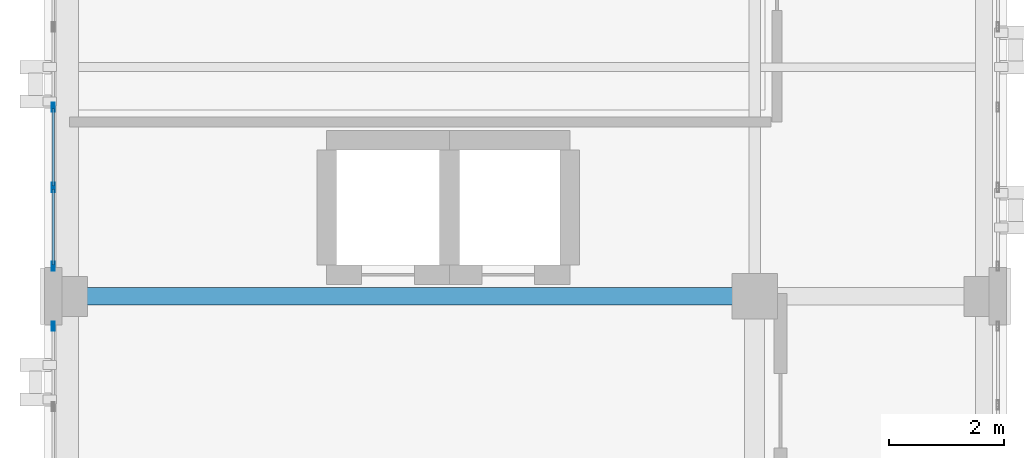
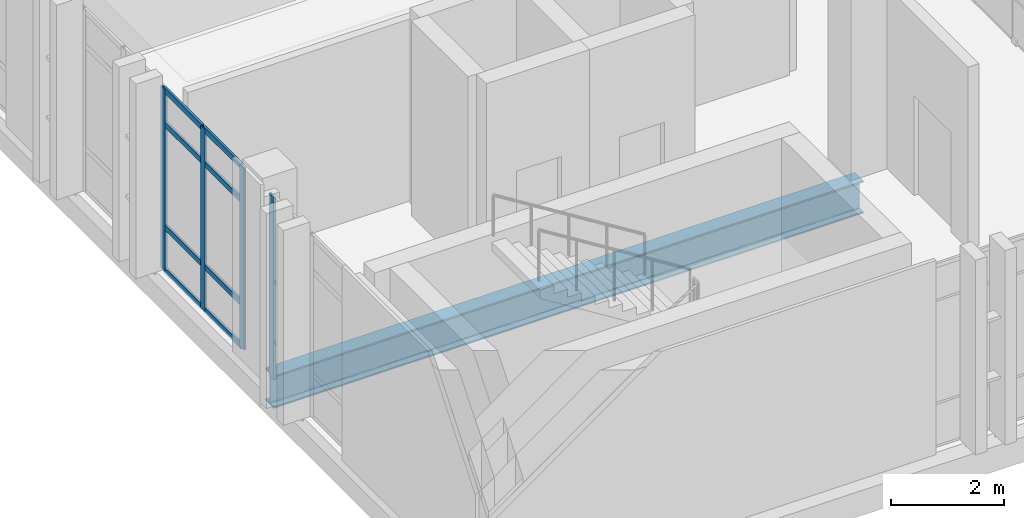
# One storey, part 25 of 193: 12 members, 1 beam, 2 elements without a shape of their own.
"""IFC4 building model written with IfcOpenShell, lengths in metres."""

from ifc_helpers import new_model, si_unit, direction, frame, origin, origin_2d, place, context, subcontext, project, spatial, hollow_rectangle, i_section, extrude, material, layer, layer_set, material_profile, profile_set, type_object, element, aggregate, save


model = new_model("IFC4")

# Units and contexts
model_context = context("Model", 3, precision=1e-05, world=origin(), true_north=direction((0.0, 1.0)))
body_context = subcontext(model_context, "Body", "Model", "MODEL_VIEW")
ifc_project = project(units=[si_unit("LENGTHUNIT", "METRE"), si_unit("AREAUNIT", "SQUARE_METRE"), si_unit("VOLUMEUNIT", "CUBIC_METRE"), si_unit("PLANEANGLEUNIT", "RADIAN"), si_unit("MASSUNIT", "GRAM", prefix="KILO")], contexts=[model_context])

# Site, building, storey
site_placement = place(None, origin())
site = spatial("IfcSite", under=ifc_project, at=site_placement, CompositionType="ELEMENT")
building_placement = place(site_placement, origin())
building = spatial("IfcBuilding", under=site, at=building_placement, Name="Qalavern Law Courts", CompositionType="ELEMENT")
storey_placement = place(building_placement, frame((0.0, 0.0, 10.199951171875)))
storey = spatial("IfcBuildingStorey", under=building, at=storey_placement, Name="L02", CompositionType="ELEMENT", Elevation=10.199951171875)

# Curtain wall, members
ifc_material_1 = material(Name="Anodised aluminium and insulated glazing", Category="aluminium")
ifc_layer = layer(ifc_material_1, 0.172119140625)
ifc_layer_set = layer_set([ifc_layer], Name="Anodised aluminium and insulated glazing")
curtain_wall_type = type_object("IfcCurtainWallType", Name="ENV-CW-COURT", PredefinedType="USERDEFINED", material=ifc_layer_set)
curtain_wall_1_placement = place(storey_placement, origin())
curtain_wall_1 = element("IfcCurtainWall", 1, at=curtain_wall_1_placement, inside=storey, type_object=curtain_wall_type, Name="V3 unitised curtain wall L02 west 6", ObjectType="UNITISED CURTAIN WALL", PredefinedType="USERDEFINED")
ifc_material_2 = material(Name="Anodised aluminium", Category="aluminium")
ifc_material_profile_1 = material_profile(ifc_material_2, hollow_rectangle(XDim=0.048095703125, YDim=0.159912109375, WallThickness=0.00390625, at=origin_2d()), Name="ALU MULLION 48x160")
ifc_profile_set_1 = profile_set([ifc_material_profile_1], Name="Anodised aluminium")
member_type_1 = type_object("IfcMemberType", Name="ENV-CWM-48x160", PredefinedType="MULLION", material=ifc_profile_set_1)
member_1_placement = place(storey_placement, frame((2.155029296875, 52.699951171875, 0.0), z_axis=(0.0, 0.0, 1.0), x_axis=(1.0, 0.0, 0.0)))
member_1 = element("IfcMember", 2, at=member_1_placement, type_object=member_type_1, Name="CW-03 mullion 4", PredefinedType="MULLION", context=body_context, shape_type="SweptSolid", body=[
    extrude(hollow_rectangle(XDim=0.048095703125, YDim=0.159912109375, WallThickness=0.00390625, at=origin_2d()), origin(), (0.0, 0.0, 1.0), 3.9150390625),
])
member_2_placement = place(storey_placement, frame((2.155029296875, 51.300048828125, 0.0), z_axis=(0.0, 0.0, 1.0), x_axis=(1.0, 0.0, 0.0)))
member_2 = element("IfcMember", 3, at=member_2_placement, type_object=member_type_1, Name="CW-03 mullion 5", PredefinedType="MULLION", context=body_context, shape_type="SweptSolid", body=[
    extrude(hollow_rectangle(XDim=0.048095703125, YDim=0.159912109375, WallThickness=0.00390625, at=origin_2d()), origin(), (0.0, 0.0, 1.0), 3.9150390625),
])
member_3_placement = place(storey_placement, frame((2.155029296875, 49.924072265625, 0.0), z_axis=(0.0, 0.0, 1.0), x_axis=(1.0, 0.0, 0.0)))
member_3 = element("IfcMember", 4, at=member_3_placement, type_object=member_type_1, Name="CW-03 mullion 6", PredefinedType="MULLION", context=body_context, shape_type="SweptSolid", body=[
    extrude(hollow_rectangle(XDim=0.048095703125, YDim=0.159912109375, WallThickness=0.00390625, at=origin_2d()), origin(), (0.0, 0.0, 1.0), 3.9150390625),
])

# Curtain wall, member
curtain_wall_2_placement = place(storey_placement, origin())
curtain_wall_2 = element("IfcCurtainWall", 5, at=curtain_wall_2_placement, inside=storey, type_object=curtain_wall_type, Name="V3 unitised curtain wall L02 west 7", ObjectType="UNITISED CURTAIN WALL", PredefinedType="USERDEFINED")
member_4_placement = place(storey_placement, frame((2.155029296875, 48.8759765625, 0.0), z_axis=(0.0, 0.0, 1.0), x_axis=(1.0, 0.0, 0.0)))
member_4 = element("IfcMember", 6, at=member_4_placement, type_object=member_type_1, Name="CW-03 mullion 1", PredefinedType="MULLION", context=body_context, shape_type="SweptSolid", body=[
    extrude(hollow_rectangle(XDim=0.048095703125, YDim=0.159912109375, WallThickness=0.00390625, at=origin_2d()), origin(), (0.0, 0.0, 1.0), 3.9150390625),
])
aggregate(curtain_wall_2, [member_4])

# Member
ifc_material_profile_2 = material_profile(ifc_material_2, hollow_rectangle(XDim=0.048095703125, YDim=0.1201171875, WallThickness=0.00390625, at=origin_2d()), Name="ALU TRANSOM 48x120")
ifc_profile_set_2 = profile_set([ifc_material_profile_2], Name="Anodised aluminium")
member_type_2 = type_object("IfcMemberType", Name="ENV-CWT-48x120", PredefinedType="USERDEFINED", material=ifc_profile_set_2)
member_5_placement = place(storey_placement, frame((2.155029296875, 52.676025390625, 0.024169921875), z_axis=(0.0, -1.0, 0.0), x_axis=(1.0, 0.0, 0.0)))
member_5 = element("IfcMember", 7, at=member_5_placement, type_object=member_type_2, Name="CW-03 transom 4.1", ObjectType="TRANSOM", PredefinedType="USERDEFINED", context=body_context, shape_type="SweptSolid", body=[
    extrude(hollow_rectangle(XDim=0.048095703125, YDim=0.1201171875, WallThickness=0.00390625, at=origin_2d()), origin(), (0.0, 0.0, 1.0), 1.35205078125),
])

member_6_placement = place(storey_placement, frame((2.155029296875, 52.676025390625, 0.949951171875), z_axis=(0.0, -1.0, 0.0), x_axis=(1.0, 0.0, 0.0)))
member_6 = element("IfcMember", 8, at=member_6_placement, type_object=member_type_2, Name="CW-03 transom 4.2", ObjectType="TRANSOM", PredefinedType="USERDEFINED", context=body_context, shape_type="SweptSolid", body=[
    extrude(hollow_rectangle(XDim=0.048095703125, YDim=0.1201171875, WallThickness=0.00390625, at=origin_2d()), origin(), (0.0, 0.0, 1.0), 1.35205078125),
])

member_7_placement = place(storey_placement, frame((2.155029296875, 52.676025390625, 3.1650390625), z_axis=(0.0, -1.0, 0.0), x_axis=(1.0, 0.0, 0.0)))
member_7 = element("IfcMember", 9, at=member_7_placement, type_object=member_type_2, Name="CW-03 transom 4.3", ObjectType="TRANSOM", PredefinedType="USERDEFINED", context=body_context, shape_type="SweptSolid", body=[
    extrude(hollow_rectangle(XDim=0.048095703125, YDim=0.1201171875, WallThickness=0.00390625, at=origin_2d()), origin(), (0.0, 0.0, 1.0), 1.35205078125),
])

member_8_placement = place(storey_placement, frame((2.155029296875, 52.676025390625, 3.89111328125), z_axis=(0.0, -1.0, 0.0), x_axis=(1.0, 0.0, 0.0)))
member_8 = element("IfcMember", 10, at=member_8_placement, type_object=member_type_2, Name="CW-03 transom 4.4", ObjectType="TRANSOM", PredefinedType="USERDEFINED", context=body_context, shape_type="SweptSolid", body=[
    extrude(hollow_rectangle(XDim=0.048095703125, YDim=0.1201171875, WallThickness=0.00390625, at=origin_2d()), origin(), (0.0, 0.0, 1.0), 1.35205078125),
])

member_9_placement = place(storey_placement, frame((2.155029296875, 51.27587890625, 0.024169921875), z_axis=(0.0, -1.0, 0.0), x_axis=(1.0, 0.0, 0.0)))
member_9 = element("IfcMember", 11, at=member_9_placement, type_object=member_type_2, Name="CW-03 transom 5.1", ObjectType="TRANSOM", PredefinedType="USERDEFINED", context=body_context, shape_type="SweptSolid", body=[
    extrude(hollow_rectangle(XDim=0.048095703125, YDim=0.1201171875, WallThickness=0.00390625, at=origin_2d()), origin(), (0.0, 0.0, 1.0), 1.327880859375),
])

member_10_placement = place(storey_placement, frame((2.155029296875, 51.27587890625, 0.949951171875), z_axis=(0.0, -1.0, 0.0), x_axis=(1.0, 0.0, 0.0)))
member_10 = element("IfcMember", 12, at=member_10_placement, type_object=member_type_2, Name="CW-03 transom 5.2", ObjectType="TRANSOM", PredefinedType="USERDEFINED", context=body_context, shape_type="SweptSolid", body=[
    extrude(hollow_rectangle(XDim=0.048095703125, YDim=0.1201171875, WallThickness=0.00390625, at=origin_2d()), origin(), (0.0, 0.0, 1.0), 1.327880859375),
])

member_11_placement = place(storey_placement, frame((2.155029296875, 51.27587890625, 3.1650390625), z_axis=(0.0, -1.0, 0.0), x_axis=(1.0, 0.0, 0.0)))
member_11 = element("IfcMember", 13, at=member_11_placement, type_object=member_type_2, Name="CW-03 transom 5.3", ObjectType="TRANSOM", PredefinedType="USERDEFINED", context=body_context, shape_type="SweptSolid", body=[
    extrude(hollow_rectangle(XDim=0.048095703125, YDim=0.1201171875, WallThickness=0.00390625, at=origin_2d()), origin(), (0.0, 0.0, 1.0), 1.327880859375),
])

member_12_placement = place(storey_placement, frame((2.155029296875, 51.27587890625, 3.89111328125), z_axis=(0.0, -1.0, 0.0), x_axis=(1.0, 0.0, 0.0)))
member_12 = element("IfcMember", 14, at=member_12_placement, type_object=member_type_2, Name="CW-03 transom 5.4", ObjectType="TRANSOM", PredefinedType="USERDEFINED", context=body_context, shape_type="SweptSolid", body=[
    extrude(hollow_rectangle(XDim=0.048095703125, YDim=0.1201171875, WallThickness=0.00390625, at=origin_2d()), origin(), (0.0, 0.0, 1.0), 1.327880859375),
])

aggregate(curtain_wall_1, [member_1, member_2, member_3, member_5, member_6, member_7, member_8, member_9, member_10, member_11, member_12])

# Beam
ifc_material_3 = material(Name="Steel S355", Category="steel")
ifc_material_profile_3 = material_profile(ifc_material_3, i_section(OverallWidth=0.300048828125, OverallDepth=0.699951171875, WebThickness=0.01708984375, FlangeThickness=0.031982421875, FilletRadius=0.027099609375, at=origin_2d()), Name="HEB 700")
ifc_profile_set_3 = profile_set([ifc_material_profile_3], Name="Steel S355")
beam_type = type_object("IfcBeamType", Name="STR-BM-HEB700", PredefinedType="BEAM", material=ifc_profile_set_3)
beam_placement = place(storey_placement, frame((2.39990234375, 49.39990234375, -0.639892578125), z_axis=(1.0, 0.0, 0.0), x_axis=(0.0, 1.0, 0.0)))
element("IfcBeam", 15, at=beam_placement, inside=storey, type_object=beam_type, Name="V3 X-beam 2-1 L02", PredefinedType="BEAM", context=body_context, shape_type="SweptSolid", body=[
    extrude(i_section(OverallWidth=0.300048828125, OverallDepth=0.699951171875, WebThickness=0.01708984375, FlangeThickness=0.031982421875, FilletRadius=0.027099609375, at=origin_2d()), origin(), (0.0, 0.0, 1.0), 12.0),
])

save(model, "model.ifc")
